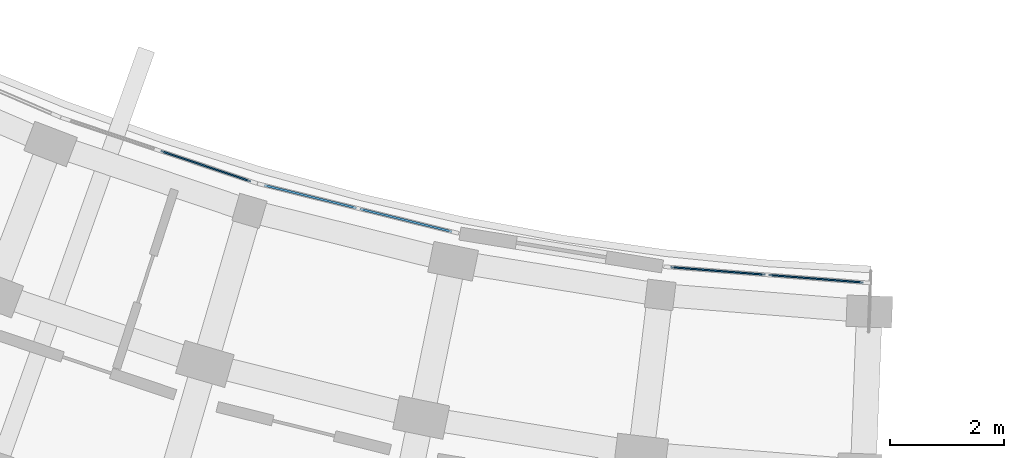
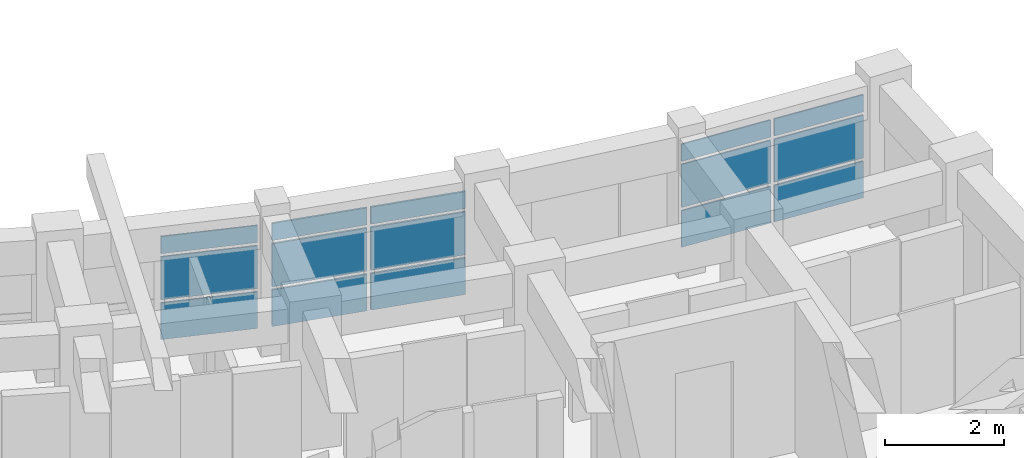
# One storey, part 32 of 70: 15 plates, 3 elements without a shape of their own.
"""IFC4 building model written with IfcOpenShell, lengths in metres."""

import ifcopenshell
import ifcopenshell.guid

model = None  # the IFC model being written
_history = None  # IfcOwnerHistory: only IFC2X3 demands one
_inside = {}  # id of a spatial element -> (the spatial element, [elements in it])
_under = {}  # id of a project, library or spatial element -> (it, [spatial elements below it])
_declared = {}  # id of a project -> (the project, [libraries it declares])
_typed = {}  # id of a type object -> (the type object, [elements of that type])
_made_of = {}  # id of a material, layer set ... -> (it, [elements and type objects made of it])


def new_model(schema):
    """Start an empty IFC model of exactly this schema.

    Asked for "IFC4X3", IfcOpenShell would pick the latest addendum, in which some entities
    have other attributes; the version numbers below select the first issue.
    IFC2X3 requires an IfcOwnerHistory on every rooted entity: one is made here for all.
    """
    global model, _history
    if schema == "IFC4X3":
        model = ifcopenshell.file(schema_version=(4, 3, 0, 0))
    else:
        model = ifcopenshell.file(schema=schema)
    _inside.clear()
    _under.clear()
    _declared.clear()
    _typed.clear()
    _made_of.clear()
    _history = None
    if model.schema == "IFC2X3":
        org = make("IfcOrganization", Name="unknown")
        user = make(
            "IfcPersonAndOrganization",
            ThePerson=make("IfcPerson", FamilyName="unknown"),
            TheOrganization=org,
        )
        app = make(
            "IfcApplication",
            ApplicationDeveloper=org,
            Version="unknown",
            ApplicationFullName="unknown",
            ApplicationIdentifier="unknown",
        )
        _history = make(
            "IfcOwnerHistory",
            OwningUser=user,
            OwningApplication=app,
            ChangeAction="ADDED",
            CreationDate=0,
        )
    return model


def make(cls, **values):
    """One entity of the class cls with the attributes given. An attribute that is None is left unset."""
    return model.create_entity(
        cls, **{name: value for name, value in values.items() if value is not None}
    )


def rooted(cls, **values):
    """An entity with a GlobalId (a new one), such as an element, a storey or a relation."""
    return make(cls, GlobalId=ifcopenshell.guid.new(), OwnerHistory=_history, **values)


def si_unit(unit_type, name, prefix=None):
    """IfcSIUnit, for example si_unit("LENGTHUNIT", "METRE", prefix="MILLI")."""
    return make("IfcSIUnit", UnitType=unit_type, Prefix=prefix, Name=name)


def assignment(units):
    """IfcUnitAssignment: the units of a project."""
    return None if units is None else make("IfcUnitAssignment", Units=units)


def point(xyz):
    """IfcCartesianPoint."""
    return None if xyz is None else make("IfcCartesianPoint", Coordinates=xyz)


def direction(xyz):
    """IfcDirection."""
    return None if xyz is None else make("IfcDirection", DirectionRatios=xyz)


def frame(location, z_axis=None, x_axis=None):
    """IfcAxis2Placement3D, a coordinate frame: its origin and axes. An axis left out is left unset."""
    return make(
        "IfcAxis2Placement3D",
        Location=point(location),
        Axis=direction(z_axis),
        RefDirection=direction(x_axis),
    )


def frame_2d(location, x_axis=None):
    """IfcAxis2Placement2D, a coordinate frame in the plane: its origin and x axis."""
    return make(
        "IfcAxis2Placement2D", Location=point(location), RefDirection=direction(x_axis)
    )


def origin():
    """The frame at (0, 0, 0) with its axes left unset."""
    return frame((0.0, 0.0, 0.0))


def origin_2d():
    """The frame at (0, 0) in the plane with its x axis left unset."""
    return frame_2d((0.0, 0.0))


def place(relative_to, where):
    """IfcLocalPlacement: puts the frame where relative to a parent placement (None: the world)."""
    return make(
        "IfcLocalPlacement", PlacementRelTo=relative_to, RelativePlacement=where
    )


def context(
    kind, dimensions, precision=None, world=None, true_north=None, identifier=None
):
    """IfcGeometricRepresentationContext, for example the 3D "Model" context."""
    return make(
        "IfcGeometricRepresentationContext",
        ContextIdentifier=identifier,
        ContextType=kind,
        CoordinateSpaceDimension=dimensions,
        Precision=precision,
        WorldCoordinateSystem=world,
        TrueNorth=true_north,
    )


def subcontext(parent, identifier, kind, view, scale=None):
    """IfcGeometricRepresentationSubContext, for example "Body" below "Model"."""
    return make(
        "IfcGeometricRepresentationSubContext",
        ContextIdentifier=identifier,
        ContextType=kind,
        ParentContext=parent,
        TargetScale=scale,
        TargetView=view,
    )


def project(units=None, contexts=None):
    """IfcProject with its units and contexts."""
    return rooted(
        "IfcProject",
        Name="project",
        RepresentationContexts=contexts,
        UnitsInContext=assignment(units),
    )


def spatial(cls, under=None, at=None, **own):
    """A site, building, storey or space (cls), placed at a placement, below another one or the project."""
    s = rooted(cls, ObjectPlacement=at, **own)
    if under is not None:
        _under.setdefault(under.id(), (under, []))[1].append(s)
    return s


def profile(cls, at=None, kind="AREA", **sizes):
    """A parametric profile (cls). Its sizes go by their IFC names, for example OverallWidth=200.0."""
    return make(cls, ProfileType=kind, Position=at, **sizes)


def rectangle(**sizes):
    """IfcRectangleProfileDef."""
    return profile("IfcRectangleProfileDef", **sizes)


def extrude(swept, where, along, depth):
    """IfcExtrudedAreaSolid: the profile swept, set in the frame where, extruded along a direction by depth."""
    return make(
        "IfcExtrudedAreaSolid",
        SweptArea=swept,
        Position=where,
        ExtrudedDirection=direction(along),
        Depth=depth,
    )


def shape(context_of_items, identifier, shape_type, items):
    """IfcShapeRepresentation: the items that make up one representation, for example the "Body"."""
    return make(
        "IfcShapeRepresentation",
        ContextOfItems=context_of_items,
        RepresentationIdentifier=identifier,
        RepresentationType=shape_type,
        Items=items,
    )


def material(Name=None, Category=None):
    """IfcMaterial."""
    return make("IfcMaterial", Name=Name, Category=Category)


def layer(
    of_material, thickness, ventilated=None, Name=None, Category=None, Priority=None
):
    """IfcMaterialLayer: one layer of a wall or slab, of a material (None: an air gap)."""
    return make(
        "IfcMaterialLayer",
        Material=of_material,
        LayerThickness=thickness,
        IsVentilated=ventilated,
        Name=Name,
        Category=Category,
        Priority=Priority,
    )


def layer_set(layers, Name=None):
    """IfcMaterialLayerSet."""
    return make("IfcMaterialLayerSet", MaterialLayers=layers, LayerSetName=Name)


def made_of(thing, what):
    """Note that an element or type object is made of a material, layer set ...; save() writes the relation."""
    if what is not None:
        _made_of.setdefault(what.id(), (what, []))[1].append(thing)
    return thing


def type_object(cls, material=None, **own):
    """A type object (cls), such as IfcWallType, which elements share."""
    return made_of(rooted(cls, **own), material)


def element(
    cls,
    number,
    at=None,
    inside=None,
    cuts=None,
    type_object=None,
    material=None,
    context=None,
    identifier="Body",
    shape_type=None,
    held_by="IfcProductDefinitionShape",
    body=None,
    shapes=None,
    **own,
):
    """One element of the class cls, such as IfcWall. Its Tag is "e" and its number.

    at: its placement. inside: the storey or other place that contains it. cuts: it is an
    opening in that element (IfcRelVoidsElement). A single representation is given by context,
    identifier, shape_type and body (its items); several are given by shapes. held_by: the class
    of the entity that holds the representations. save() writes the other relations.
    """
    e = rooted(cls, Tag="e%d" % number, ObjectPlacement=at, **own)
    if body is not None:
        shapes = [shape(context, identifier, shape_type, body)]
    if shapes is not None:
        e.Representation = make(held_by, Representations=shapes)
    if inside is not None:
        _inside.setdefault(inside.id(), (inside, []))[1].append(e)
    if cuts is not None:
        rooted(
            "IfcRelVoidsElement", RelatingBuildingElement=cuts, RelatedOpeningElement=e
        )
    if type_object is not None:
        _typed.setdefault(type_object.id(), (type_object, []))[1].append(e)
    return made_of(e, material)


def aggregate(whole, parts):
    """IfcRelAggregates: a whole, such as a stair, and the parts it consists of."""
    return rooted("IfcRelAggregates", RelatingObject=whole, RelatedObjects=parts)


def save(model, path):
    """Write the relations noted so far, then the file.

    IfcRelAggregates (storeys below a building ...), IfcRelContainedInSpatialStructure (elements
    in a storey), IfcRelDefinesByType, IfcRelAssociatesMaterial and IfcRelDeclares: one each for
    every whole, place, type object, material and project.
    """
    for whole, parts in _under.values():
        aggregate(whole, parts)
    for where, things in _inside.values():
        rooted(
            "IfcRelContainedInSpatialStructure",
            RelatedElements=things,
            RelatingStructure=where,
        )
    for kind, things in _typed.values():
        rooted("IfcRelDefinesByType", RelatedObjects=things, RelatingType=kind)
    for what, things in _made_of.values():
        rooted("IfcRelAssociatesMaterial", RelatedObjects=things, RelatingMaterial=what)
    for by, libraries in _declared.values():
        rooted("IfcRelDeclares", RelatingContext=by, RelatedDefinitions=libraries)
    model.write(path)


model = new_model("IFC4")

# Units and contexts
model_context = context("Model", 3, precision=1e-05, world=origin(), true_north=direction((0.0, 1.0)))
body_context = subcontext(model_context, "Body", "Model", "MODEL_VIEW")
ifc_project = project(units=[si_unit("LENGTHUNIT", "METRE"), si_unit("AREAUNIT", "SQUARE_METRE"), si_unit("VOLUMEUNIT", "CUBIC_METRE"), si_unit("PLANEANGLEUNIT", "RADIAN"), si_unit("MASSUNIT", "GRAM", prefix="KILO")], contexts=[model_context])

# Site, building, storey
site_placement = place(None, origin())
site = spatial("IfcSite", under=ifc_project, at=site_placement, CompositionType="ELEMENT")
building_placement = place(site_placement, origin())
building = spatial("IfcBuilding", under=site, at=building_placement, Name="Zimvara Arc Housing Community", CompositionType="ELEMENT")
storey_placement = place(building_placement, frame((0.0, 0.0, 8.10009765625)))
storey = spatial("IfcBuildingStorey", under=building, at=storey_placement, Name="L02", CompositionType="ELEMENT", Elevation=8.10009765625)

# Curtain wall, plates
ifc_material_1 = material(Name="Anodised Aluminium AW-6063", Category="aluminium")
curtain_wall_type_1 = type_object("IfcCurtainWallType", Name="CW-SYS-08", PredefinedType="USERDEFINED", material=ifc_material_1)
curtain_wall_1_placement = place(storey_placement, origin())
curtain_wall_1 = element("IfcCurtainWall", 1, at=curtain_wall_1_placement, inside=storey, type_object=curtain_wall_type_1, Name="cw:blkC:L02:in:b7", ObjectType="CURTAIN WALL", PredefinedType="USERDEFINED")
ifc_material_2 = material(Name="Pale-Gold Anodised Aluminium Spandrel Panel", Category="aluminium")
ifc_layer_1 = layer(ifc_material_2, 0.035888671875)
ifc_layer_set_1 = layer_set([ifc_layer_1], Name="Pale-Gold Anodised Aluminium Spandrel Panel")
plate_type_1 = type_object("IfcPlateType", Name="CWP-GLD-36", PredefinedType="CURTAIN_PANEL", material=ifc_layer_set_1)
plate_1_placement = place(storey_placement, frame((114.4306640625, 66.79052734375, 0.06494140625), z_axis=(0.0, 0.0, 1.0), x_axis=(0.970716537698, -0.240227815706, 0.0)))
plate_1 = element("IfcPlate", 2, at=plate_1_placement, type_object=plate_type_1, Name="CW08 panel 1.1", PredefinedType="CURTAIN_PANEL", context=body_context, shape_type="SweptSolid", body=[
    extrude(rectangle(XDim=1.664306640625, YDim=0.035888671875, at=origin_2d()), origin(), (0.0, 0.0, 1.0), 0.75244140625),
])
plate_2_placement = place(storey_placement, frame((114.4306640625, 66.79052734375, 0.88232421875), z_axis=(0.0, 0.0, 1.0), x_axis=(0.970716537698, -0.240227815706, 0.0)))
plate_2 = element("IfcPlate", 3, at=plate_2_placement, type_object=plate_type_1, Name="CW08 panel 1.2", PredefinedType="CURTAIN_PANEL", context=body_context, shape_type="SweptSolid", body=[
    extrude(rectangle(XDim=1.664306640625, YDim=0.035888671875, at=origin_2d()), origin(), (0.0, 0.0, 1.0), 0.885009765625),
])
plate_3_placement = place(storey_placement, frame((114.4306640625, 66.79052734375, 1.832275390625), z_axis=(0.0, 0.0, 1.0), x_axis=(0.970716537698, -0.240227815706, 0.0)))
plate_3 = element("IfcPlate", 4, at=plate_3_placement, type_object=plate_type_1, Name="CW08 panel 1.3", PredefinedType="CURTAIN_PANEL", context=body_context, shape_type="SweptSolid", body=[
    extrude(rectangle(XDim=1.664306640625, YDim=0.035888671875, at=origin_2d()), origin(), (0.0, 0.0, 1.0), 0.3525390625),
])
plate_4_placement = place(storey_placement, frame((116.109375, 66.375, 0.06494140625), z_axis=(0.0, 0.0, 1.0), x_axis=(0.970716537698, -0.240227815706, 0.0)))
plate_4 = element("IfcPlate", 5, at=plate_4_placement, type_object=plate_type_1, Name="CW08 panel 2.1", PredefinedType="CURTAIN_PANEL", context=body_context, shape_type="SweptSolid", body=[
    extrude(rectangle(XDim=1.664306640625, YDim=0.035888671875, at=origin_2d()), origin(), (0.0, 0.0, 1.0), 0.75244140625),
])
plate_5_placement = place(storey_placement, frame((116.109375, 66.375, 0.88232421875), z_axis=(0.0, 0.0, 1.0), x_axis=(0.970716537698, -0.240227815706, 0.0)))
plate_5 = element("IfcPlate", 6, at=plate_5_placement, type_object=plate_type_1, Name="CW08 panel 2.2", PredefinedType="CURTAIN_PANEL", context=body_context, shape_type="SweptSolid", body=[
    extrude(rectangle(XDim=1.664306640625, YDim=0.035888671875, at=origin_2d()), origin(), (0.0, 0.0, 1.0), 0.885009765625),
])
plate_6_placement = place(storey_placement, frame((116.109375, 66.375, 1.832275390625), z_axis=(0.0, 0.0, 1.0), x_axis=(0.970716537698, -0.240227815706, 0.0)))
plate_6 = element("IfcPlate", 7, at=plate_6_placement, type_object=plate_type_1, Name="CW08 panel 2.3", PredefinedType="CURTAIN_PANEL", context=body_context, shape_type="SweptSolid", body=[
    extrude(rectangle(XDim=1.664306640625, YDim=0.035888671875, at=origin_2d()), origin(), (0.0, 0.0, 1.0), 0.3525390625),
])
aggregate(curtain_wall_1, [plate_1, plate_2, plate_3, plate_4, plate_5, plate_6])

ifc_material_3 = material(Name="Anodised Aluminium AW-6063", Category="aluminium")
curtain_wall_type_2 = type_object("IfcCurtainWallType", Name="CW-SYS-06", PredefinedType="USERDEFINED", material=ifc_material_3)
curtain_wall_2_placement = place(storey_placement, origin())
curtain_wall_2 = element("IfcCurtainWall", 8, at=curtain_wall_2_placement, inside=storey, type_object=curtain_wall_type_2, Name="cw:blkC:L02:in:b6", ObjectType="CURTAIN WALL", PredefinedType="USERDEFINED")
ifc_material_4 = material(Name="Solar Control Low-E Double Glazing", Category="glass")
ifc_layer_2 = layer(ifc_material_4, 0.028076171875)
ifc_layer_set_2 = layer_set([ifc_layer_2], Name="Solar Control Low-E Double Glazing")
plate_type_2 = type_object("IfcPlateType", Name="CWP-GLZ-28", PredefinedType="CURTAIN_PANEL", material=ifc_layer_set_2)
plate_7_placement = place(storey_placement, frame((112.59423828125, 67.325439453125, 0.06494140625), z_axis=(0.0, 0.0, 1.0), x_axis=(0.94787908732, -0.318630249383, 0.0)))
plate_7 = element("IfcPlate", 9, at=plate_7_placement, type_object=plate_type_2, Name="CW06 panel 2.1", PredefinedType="CURTAIN_PANEL", context=body_context, shape_type="SweptSolid", body=[
    extrude(rectangle(XDim=1.664306640625, YDim=0.028076171875, at=origin_2d()), origin(), (0.0, 0.0, 1.0), 0.75244140625),
])
plate_8_placement = place(storey_placement, frame((112.59423828125, 67.325439453125, 0.88232421875), z_axis=(0.0, 0.0, 1.0), x_axis=(0.94787908732, -0.318630249383, 0.0)))
plate_8 = element("IfcPlate", 10, at=plate_8_placement, type_object=plate_type_2, Name="CW06 panel 2.2", PredefinedType="CURTAIN_PANEL", context=body_context, shape_type="SweptSolid", body=[
    extrude(rectangle(XDim=1.664306640625, YDim=0.028076171875, at=origin_2d()), origin(), (0.0, 0.0, 1.0), 0.885009765625),
])
plate_9_placement = place(storey_placement, frame((112.59423828125, 67.325439453125, 1.832275390625), z_axis=(0.0, 0.0, 1.0), x_axis=(0.94787908732, -0.318630249383, 0.0)))
plate_9 = element("IfcPlate", 11, at=plate_9_placement, type_object=plate_type_2, Name="CW06 panel 2.3", PredefinedType="CURTAIN_PANEL", context=body_context, shape_type="SweptSolid", body=[
    extrude(rectangle(XDim=1.664306640625, YDim=0.028076171875, at=origin_2d()), origin(), (0.0, 0.0, 1.0), 0.3525390625),
])
aggregate(curtain_wall_2, [plate_7, plate_8, plate_9])

ifc_material_5 = material(Name="Anodised Aluminium AW-6063", Category="aluminium")
curtain_wall_type_3 = type_object("IfcCurtainWallType", Name="CW-SYS-02", PredefinedType="USERDEFINED", material=ifc_material_5)
curtain_wall_3_placement = place(storey_placement, origin())
curtain_wall_3 = element("IfcCurtainWall", 12, at=curtain_wall_3_placement, inside=storey, type_object=curtain_wall_type_3, Name="cw:blkC:L02:in:b9", ObjectType="CURTAIN WALL", PredefinedType="USERDEFINED")
plate_10_placement = place(storey_placement, frame((121.589111328125, 65.485595703125, 0.06494140625), z_axis=(0.0, 0.0, 1.0), x_axis=(0.996862343506, -0.079154709897, 0.0)))
plate_10 = element("IfcPlate", 13, at=plate_10_placement, type_object=plate_type_2, Name="CW02 panel 1.1", PredefinedType="CURTAIN_PANEL", context=body_context, shape_type="SweptSolid", body=[
    extrude(rectangle(XDim=1.664306640625, YDim=0.028076171875, at=origin_2d()), origin(), (0.0, 0.0, 1.0), 0.75244140625),
])
plate_11_placement = place(storey_placement, frame((121.589111328125, 65.485595703125, 0.88232421875), z_axis=(0.0, 0.0, 1.0), x_axis=(0.996862343506, -0.079154709897, 0.0)))
plate_11 = element("IfcPlate", 14, at=plate_11_placement, type_object=plate_type_2, Name="CW02 panel 1.2", PredefinedType="CURTAIN_PANEL", context=body_context, shape_type="SweptSolid", body=[
    extrude(rectangle(XDim=1.664306640625, YDim=0.028076171875, at=origin_2d()), origin(), (0.0, 0.0, 1.0), 0.885009765625),
])
plate_12_placement = place(storey_placement, frame((121.589111328125, 65.485595703125, 1.832275390625), z_axis=(0.0, 0.0, 1.0), x_axis=(0.996862343506, -0.079154709897, 0.0)))
plate_12 = element("IfcPlate", 15, at=plate_12_placement, type_object=plate_type_2, Name="CW02 panel 1.3", PredefinedType="CURTAIN_PANEL", context=body_context, shape_type="SweptSolid", body=[
    extrude(rectangle(XDim=1.664306640625, YDim=0.028076171875, at=origin_2d()), origin(), (0.0, 0.0, 1.0), 0.3525390625),
])
plate_13_placement = place(storey_placement, frame((123.31298828125, 65.3486328125, 0.06494140625), z_axis=(0.0, 0.0, 1.0), x_axis=(0.996862343506, -0.079154709897, 0.0)))
plate_13 = element("IfcPlate", 16, at=plate_13_placement, type_object=plate_type_2, Name="CW02 panel 2.1", PredefinedType="CURTAIN_PANEL", context=body_context, shape_type="SweptSolid", body=[
    extrude(rectangle(XDim=1.664306640625, YDim=0.028076171875, at=origin_2d()), origin(), (0.0, 0.0, 1.0), 0.75244140625),
])
plate_14_placement = place(storey_placement, frame((123.31298828125, 65.3486328125, 0.88232421875), z_axis=(0.0, 0.0, 1.0), x_axis=(0.996862343506, -0.079154709897, 0.0)))
plate_14 = element("IfcPlate", 17, at=plate_14_placement, type_object=plate_type_2, Name="CW02 panel 2.2", PredefinedType="CURTAIN_PANEL", context=body_context, shape_type="SweptSolid", body=[
    extrude(rectangle(XDim=1.664306640625, YDim=0.028076171875, at=origin_2d()), origin(), (0.0, 0.0, 1.0), 0.885009765625),
])
plate_15_placement = place(storey_placement, frame((123.31298828125, 65.3486328125, 1.832275390625), z_axis=(0.0, 0.0, 1.0), x_axis=(0.996862343506, -0.079154709897, 0.0)))
plate_15 = element("IfcPlate", 18, at=plate_15_placement, type_object=plate_type_2, Name="CW02 panel 2.3", PredefinedType="CURTAIN_PANEL", context=body_context, shape_type="SweptSolid", body=[
    extrude(rectangle(XDim=1.664306640625, YDim=0.028076171875, at=origin_2d()), origin(), (0.0, 0.0, 1.0), 0.3525390625),
])
aggregate(curtain_wall_3, [plate_10, plate_11, plate_12, plate_13, plate_14, plate_15])

save(model, "model.ifc")
